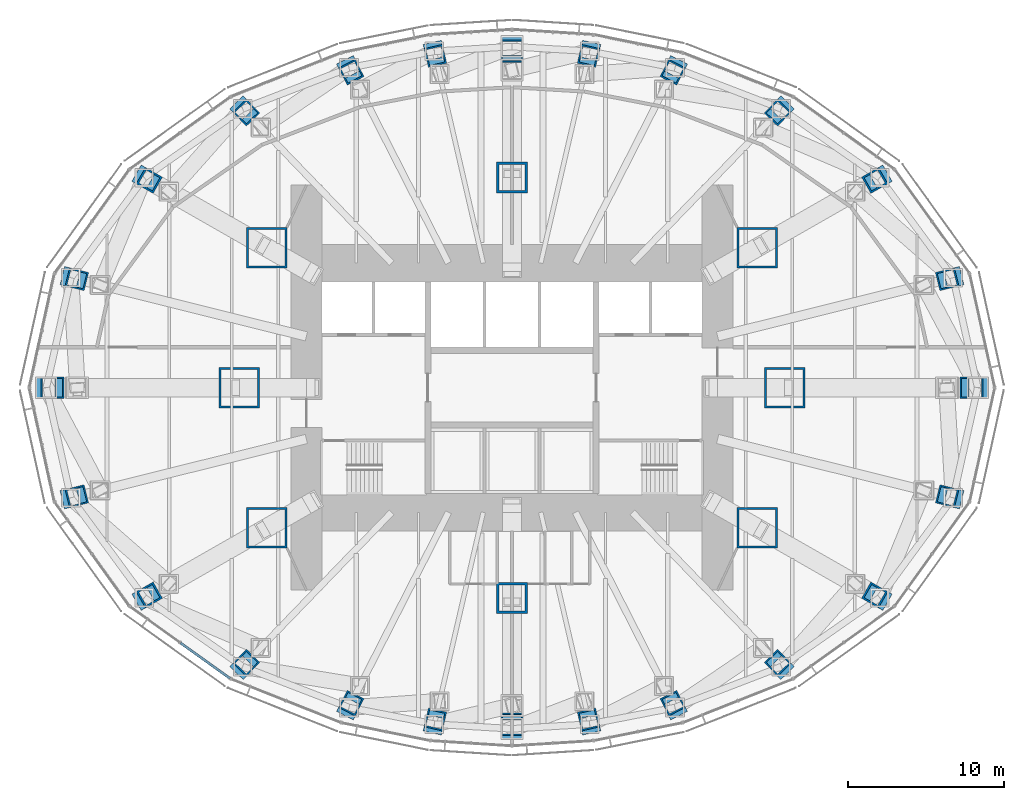
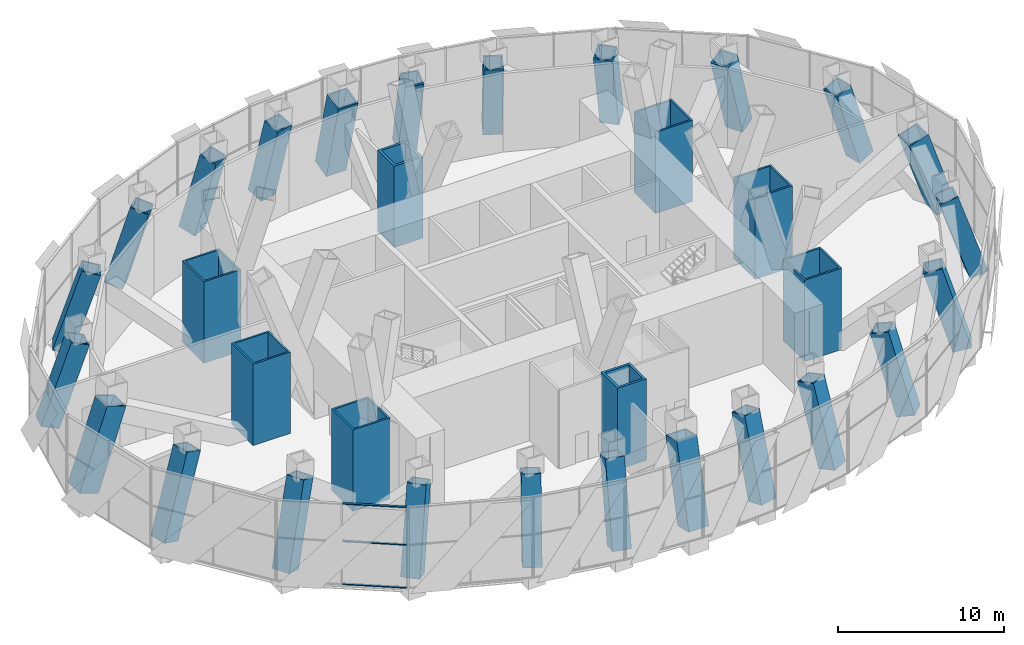
# One storey, part 1 of 21: 32 columns, 3 members, 1 element without a shape of its own.
"""IFC4 building model written with IfcOpenShell, lengths in metres."""

from ifc_helpers import new_model, si_unit, direction, frame, origin, origin_2d, place, context, subcontext, project, spatial, rectangle, hollow_rectangle, extrude, material, material_profile, profile_set, type_object, element, aggregate, save


model = new_model("IFC4")

# Units and contexts
model_context = context("Model", 3, precision=1e-05, world=origin(), true_north=direction((0.0, 1.0)))
body_context = subcontext(model_context, "Body", "Model", "MODEL_VIEW")
ifc_project = project(units=[si_unit("LENGTHUNIT", "METRE"), si_unit("AREAUNIT", "SQUARE_METRE"), si_unit("VOLUMEUNIT", "CUBIC_METRE"), si_unit("PLANEANGLEUNIT", "RADIAN"), si_unit("MASSUNIT", "GRAM", prefix="KILO")], contexts=[model_context])

# Site, building, storey
site_placement = place(None, origin())
site = spatial("IfcSite", under=ifc_project, at=site_placement, CompositionType="ELEMENT")
building_placement = place(site_placement, origin())
building = spatial("IfcBuilding", under=site, at=building_placement, Name="Lantaw Convention Tower", CompositionType="ELEMENT")
storey_placement = place(building_placement, frame((0.0, 0.0, 105.39990234375)))
storey = spatial("IfcBuildingStorey", under=building, at=storey_placement, Name="L25", CompositionType="ELEMENT", Elevation=105.39990234375)

# Columns
ifc_material_1 = material(Name="Steel EN 10025-3 S460N", Category="steel")
ifc_material_profile_1 = material_profile(ifc_material_1, hollow_rectangle(XDim=2.0, YDim=2.0, WallThickness=0.169921875, at=origin_2d()), Name="BOX2000X170")
ifc_material_2 = material(Name="Concrete C60/75", Category="concrete")
ifc_material_profile_2 = material_profile(ifc_material_2, rectangle(XDim=1.659912109375, YDim=1.659912109375, at=origin_2d()), Name="Concrete fill of BOX2000X170")
ifc_profile_set_1 = profile_set([ifc_material_profile_1, ifc_material_profile_2], Name="Steel EN 10025-3 S460N")
column_type_1 = type_object("IfcColumnType", Name="Column MC BOX2000X170", PredefinedType="COLUMN", material=ifc_profile_set_1)
for number, where, z_axis, x_axis, name in (
    (1, (0.0, 13.5, 0.0), (0.0, 0.0, 1.0), (1.0, 0.0, 0.0), "Mega column M3"),
    (2, (0.0, -13.5, 0.0), (0.0, 0.0, 1.0), (1.0, 0.0, 0.0), "Mega column M7"),
):
    element("IfcColumn", number, at=place(storey_placement, frame(where, z_axis=z_axis, x_axis=x_axis)), inside=storey, type_object=column_type_1, Name=name, PredefinedType="COLUMN", context=body_context, shape_type="SweptSolid", body=[
        extrude(hollow_rectangle(XDim=2.0, YDim=2.0, WallThickness=0.169921875, at=origin_2d()), origin(), (0.0, 0.0, 1.0), 6.0),
    ])
ifc_material_profile_3 = material_profile(ifc_material_1, hollow_rectangle(XDim=2.60009765625, YDim=2.60009765625, WallThickness=0.1298828125, at=origin_2d()), Name="BOX2600X130")
ifc_material_profile_4 = material_profile(ifc_material_2, rectangle(XDim=2.340087890625, YDim=2.340087890625, at=origin_2d()), Name="Concrete fill of BOX2600X130")
ifc_profile_set_2 = profile_set([ifc_material_profile_3, ifc_material_profile_4], Name="Steel EN 10025-3 S460N")
column_type_2 = type_object("IfcColumnType", Name="Column MC BOX2600X130", PredefinedType="COLUMN", material=ifc_profile_set_2)
for number, where, z_axis, x_axis, name in (
    (3, (17.5, 0.0, 0.0), (0.0, 0.0, 1.0), (1.0, 0.0, 0.0), "Mega column M1"),
    (4, (15.75, 9.0, 0.0), (0.0, 0.0, 1.0), (1.0, 0.0, 0.0), "Mega column M2"),
    (5, (-15.75, 9.0, 0.0), (0.0, 0.0, 1.0), (1.0, 0.0, 0.0), "Mega column M4"),
    (6, (-17.5, 0.0, 0.0), (0.0, 0.0, 1.0), (1.0, 0.0, 0.0), "Mega column M5"),
    (7, (-15.75, -9.0, 0.0), (0.0, 0.0, 1.0), (1.0, 0.0, 0.0), "Mega column M6"),
    (8, (15.75, -9.0, 0.0), (0.0, 0.0, 1.0), (1.0, 0.0, 0.0), "Mega column M8"),
):
    element("IfcColumn", number, at=place(storey_placement, frame(where, z_axis=z_axis, x_axis=x_axis)), inside=storey, type_object=column_type_2, Name=name, PredefinedType="COLUMN", context=body_context, shape_type="SweptSolid", body=[
        extrude(hollow_rectangle(XDim=2.60009765625, YDim=2.60009765625, WallThickness=0.1298828125, at=origin_2d()), origin(), (0.0, 0.0, 1.0), 6.0),
    ])
ifc_material_profile_5 = material_profile(ifc_material_1, hollow_rectangle(XDim=1.199951171875, YDim=1.199951171875, WallThickness=0.10009765625, at=origin_2d()), Name="BOX1200X100")
ifc_material_profile_6 = material_profile(ifc_material_2, rectangle(XDim=1.0, YDim=1.0, at=origin_2d()), Name="Concrete fill of BOX1200X100")
ifc_profile_set_3 = profile_set([ifc_material_profile_5, ifc_material_profile_6], Name="Steel EN 10025-3 S460N")
column_type_3 = type_object("IfcColumnType", Name="Column PC BOX1200X100", PredefinedType="COLUMN", material=ifc_profile_set_3)
column_1_placement = place(storey_placement, frame((28.31787109375, 7.060302734375, 0.0), z_axis=(-0.300740657131, -0.074975456692, 0.950754299513), x_axis=(0.24189877761, -0.970301489946, 0.0)))
element("IfcColumn", 9, at=column_1_placement, inside=storey, type_object=column_type_3, Name="Perimeter column P2 (raked)", PredefinedType="COLUMN", context=body_context, shape_type="SweptSolid", body=[
    extrude(hollow_rectangle(XDim=1.199951171875, YDim=1.199951171875, WallThickness=0.10009765625, at=origin_2d()), origin(), (0.0, 0.0, 1.0), 6.112060546875),
])
column_2_placement = place(storey_placement, frame((17.290771484375, 17.9052734375, 0.0), z_axis=(-0.188224434995, -0.194910772725, 0.962590958168), x_axis=(0.719337421927, -0.694660833368, 0.0)))
element("IfcColumn", 10, at=column_2_placement, inside=storey, type_object=column_type_3, Name="Perimeter column P4 (raked)", PredefinedType="COLUMN", context=body_context, shape_type="SweptSolid", body=[
    extrude(hollow_rectangle(XDim=1.199951171875, YDim=1.199951171875, WallThickness=0.10009765625, at=origin_2d()), origin(), (0.0, 0.0, 1.0), 6.061279296875),
])
column_3_placement = place(storey_placement, frame((10.462646484375, 20.533935546875, 0.0), z_axis=(-0.115112514597, -0.225901744161, 0.967324925228), x_axis=(0.890990845458, -0.454021269667, 0.0)))
element("IfcColumn", 11, at=column_3_placement, inside=storey, type_object=column_type_3, Name="Perimeter column P5 (raked)", PredefinedType="COLUMN", context=body_context, shape_type="SweptSolid", body=[
    extrude(hollow_rectangle(XDim=1.199951171875, YDim=1.199951171875, WallThickness=0.10009765625, at=origin_2d()), origin(), (0.0, 0.0, 1.0), 6.04248046875),
])
for number, where, z_axis, x_axis, name in (
    (12, (4.986328125, 21.59814453125, 0.0), (-0.055146465364, -0.238833151168, 0.969493472521), (0.974363368731, -0.224980056172, 0.0), "Perimeter column P6 (raked)"),
    (13, (-4.986328125, 21.59814453125, 0.0), (0.055146465364, -0.238833151168, 0.969493472521), (0.974363368731, 0.224980056172, 0.0), "Perimeter column P8 (raked)"),
):
    element("IfcColumn", number, at=place(storey_placement, frame(where, z_axis=z_axis, x_axis=x_axis)), inside=storey, type_object=column_type_3, Name=name, PredefinedType="COLUMN", context=body_context, shape_type="SweptSolid", body=[
        extrude(hollow_rectangle(XDim=1.199951171875, YDim=1.199951171875, WallThickness=0.10009765625, at=origin_2d()), origin(), (0.0, 0.0, 1.0), 6.0341796875),
    ])
column_4_placement = place(storey_placement, frame((-10.462646484375, 20.533935546875, 0.0), z_axis=(0.115112514597, -0.225901744161, 0.967324925228), x_axis=(0.890990845458, 0.454021269667, 0.0)))
element("IfcColumn", 14, at=column_4_placement, inside=storey, type_object=column_type_3, Name="Perimeter column P9 (raked)", PredefinedType="COLUMN", context=body_context, shape_type="SweptSolid", body=[
    extrude(hollow_rectangle(XDim=1.199951171875, YDim=1.199951171875, WallThickness=0.10009765625, at=origin_2d()), origin(), (0.0, 0.0, 1.0), 6.04248046875),
])
column_5_placement = place(storey_placement, frame((-17.290771484375, 17.9052734375, 0.0), z_axis=(0.188224434995, -0.194910772725, 0.962590958168), x_axis=(0.719337421927, 0.694660833368, 0.0)))
element("IfcColumn", 15, at=column_5_placement, inside=storey, type_object=column_type_3, Name="Perimeter column P10 (raked)", PredefinedType="COLUMN", context=body_context, shape_type="SweptSolid", body=[
    extrude(hollow_rectangle(XDim=1.199951171875, YDim=1.199951171875, WallThickness=0.10009765625, at=origin_2d()), origin(), (0.0, 0.0, 1.0), 6.061279296875),
])
for number, where, z_axis, x_axis, name in (
    (16, (-28.31787109375, 7.060302734375, 0.0), (0.300740657131, -0.074975456692, 0.950754299513), (0.24189877761, 0.970301489946, 0.0), "Perimeter column P12 (raked)"),
    (17, (-28.31787109375, -7.060302734375, 0.0), (0.300740657131, 0.074975456692, 0.950754299513), (-0.24189877761, 0.970301489946, 0.0), "Perimeter column P14 (raked)"),
):
    element("IfcColumn", number, at=place(storey_placement, frame(where, z_axis=z_axis, x_axis=x_axis)), inside=storey, type_object=column_type_3, Name=name, PredefinedType="COLUMN", context=body_context, shape_type="SweptSolid", body=[
        extrude(hollow_rectangle(XDim=1.199951171875, YDim=1.199951171875, WallThickness=0.10009765625, at=origin_2d()), origin(), (0.0, 0.0, 1.0), 6.112060546875),
    ])
column_6_placement = place(storey_placement, frame((-17.290771484375, -17.9052734375, 0.0), z_axis=(0.188224434995, 0.194910772725, 0.962590958168), x_axis=(-0.719337421927, 0.694660833368, 0.0)))
element("IfcColumn", 18, at=column_6_placement, inside=storey, type_object=column_type_3, Name="Perimeter column P16 (raked)", PredefinedType="COLUMN", context=body_context, shape_type="SweptSolid", body=[
    extrude(hollow_rectangle(XDim=1.199951171875, YDim=1.199951171875, WallThickness=0.10009765625, at=origin_2d()), origin(), (0.0, 0.0, 1.0), 6.061279296875),
])
column_7_placement = place(storey_placement, frame((-10.462646484375, -20.533935546875, 0.0), z_axis=(0.115112514597, 0.225901744161, 0.967324925228), x_axis=(-0.890990845458, 0.454021269667, 0.0)))
element("IfcColumn", 19, at=column_7_placement, inside=storey, type_object=column_type_3, Name="Perimeter column P17 (raked)", PredefinedType="COLUMN", context=body_context, shape_type="SweptSolid", body=[
    extrude(hollow_rectangle(XDim=1.199951171875, YDim=1.199951171875, WallThickness=0.10009765625, at=origin_2d()), origin(), (0.0, 0.0, 1.0), 6.04248046875),
])
for number, where, z_axis, x_axis, name in (
    (20, (-4.986328125, -21.59814453125, 0.0), (0.055146465364, 0.238833151168, 0.969493472521), (-0.974363368731, 0.224980056172, 0.0), "Perimeter column P18 (raked)"),
    (21, (4.986328125, -21.59814453125, 0.0), (-0.055146465364, 0.238833151168, 0.969493472521), (-0.974363368731, -0.224980056172, 0.0), "Perimeter column P20 (raked)"),
):
    element("IfcColumn", number, at=place(storey_placement, frame(where, z_axis=z_axis, x_axis=x_axis)), inside=storey, type_object=column_type_3, Name=name, PredefinedType="COLUMN", context=body_context, shape_type="SweptSolid", body=[
        extrude(hollow_rectangle(XDim=1.199951171875, YDim=1.199951171875, WallThickness=0.10009765625, at=origin_2d()), origin(), (0.0, 0.0, 1.0), 6.0341796875),
    ])
column_8_placement = place(storey_placement, frame((10.462646484375, -20.533935546875, 0.0), z_axis=(-0.115112514597, 0.225901744161, 0.967324925228), x_axis=(-0.890990845458, -0.454021269667, 0.0)))
element("IfcColumn", 22, at=column_8_placement, inside=storey, type_object=column_type_3, Name="Perimeter column P21 (raked)", PredefinedType="COLUMN", context=body_context, shape_type="SweptSolid", body=[
    extrude(hollow_rectangle(XDim=1.199951171875, YDim=1.199951171875, WallThickness=0.10009765625, at=origin_2d()), origin(), (0.0, 0.0, 1.0), 6.04248046875),
])
column_9_placement = place(storey_placement, frame((17.290771484375, -17.9052734375, 0.0), z_axis=(-0.188224434995, 0.194910772725, 0.962590958168), x_axis=(-0.719337421927, -0.694660833368, 0.0)))
element("IfcColumn", 23, at=column_9_placement, inside=storey, type_object=column_type_3, Name="Perimeter column P22 (raked)", PredefinedType="COLUMN", context=body_context, shape_type="SweptSolid", body=[
    extrude(hollow_rectangle(XDim=1.199951171875, YDim=1.199951171875, WallThickness=0.10009765625, at=origin_2d()), origin(), (0.0, 0.0, 1.0), 6.061279296875),
])
column_10_placement = place(storey_placement, frame((28.31787109375, -7.060302734375, 0.0), z_axis=(-0.300740657131, 0.074975456692, 0.950754299513), x_axis=(-0.24189877761, -0.970301489946, 0.0)))
element("IfcColumn", 24, at=column_10_placement, inside=storey, type_object=column_type_3, Name="Perimeter column P24 (raked)", PredefinedType="COLUMN", context=body_context, shape_type="SweptSolid", body=[
    extrude(hollow_rectangle(XDim=1.199951171875, YDim=1.199951171875, WallThickness=0.10009765625, at=origin_2d()), origin(), (0.0, 0.0, 1.0), 6.112060546875),
])
ifc_material_profile_7 = material_profile(ifc_material_1, hollow_rectangle(XDim=1.199951171875, YDim=1.199951171875, WallThickness=0.1201171875, at=origin_2d()), Name="BOX1200X120")
ifc_material_profile_8 = material_profile(ifc_material_2, rectangle(XDim=0.9599609375, YDim=0.9599609375, at=origin_2d()), Name="Concrete fill of BOX1200X120")
ifc_profile_set_4 = profile_set([ifc_material_profile_7, ifc_material_profile_8], Name="Steel EN 10025-3 S460N")
column_type_4 = type_object("IfcColumnType", Name="Column PC BOX1200X120", PredefinedType="COLUMN", material=ifc_profile_set_4)
for number, where, z_axis, x_axis, name in (
    (25, (23.60498046875, 13.488525390625, 0.0), (-0.253597337108, -0.144907034473, 0.956394448945), (0.496124150365, -0.868251592238, 0.0), "Perimeter column P3 (raked)"),
    (26, (-23.60498046875, 13.488525390625, 0.0), (0.253597337108, -0.144907034473, 0.956394448945), (0.496124150365, 0.868251592238, 0.0), "Perimeter column P11 (raked)"),
    (27, (-23.60498046875, -13.488525390625, 0.0), (0.253597337108, 0.144907034473, 0.956394448945), (-0.496124150365, 0.868251592238, 0.0), "Perimeter column P15 (raked)"),
    (28, (23.60498046875, -13.488525390625, 0.0), (-0.253597337108, 0.144907034473, 0.956394448945), (-0.496124150365, -0.868251592238, 0.0), "Perimeter column P23 (raked)"),
):
    element("IfcColumn", number, at=place(storey_placement, frame(where, z_axis=z_axis, x_axis=x_axis)), inside=storey, type_object=column_type_4, Name=name, PredefinedType="COLUMN", context=body_context, shape_type="SweptSolid", body=[
        extrude(hollow_rectangle(XDim=1.199951171875, YDim=1.199951171875, WallThickness=0.1201171875, at=origin_2d()), origin(), (0.0, 0.0, 1.0), 6.087158203125),
    ])
ifc_material_profile_9 = material_profile(ifc_material_1, hollow_rectangle(XDim=1.39990234375, YDim=1.39990234375, WallThickness=0.10009765625, at=origin_2d()), Name="BOX1400X100")
ifc_material_profile_10 = material_profile(ifc_material_2, rectangle(XDim=1.199951171875, YDim=1.199951171875, at=origin_2d()), Name="Concrete fill of BOX1400X100")
ifc_profile_set_5 = profile_set([ifc_material_profile_9, ifc_material_profile_10], Name="Steel EN 10025-3 S460N")
column_type_5 = type_object("IfcColumnType", Name="Column PC BOX1400X100", PredefinedType="COLUMN", material=ifc_profile_set_5)
column_11_placement = place(storey_placement, frame((29.89990234375, 0.0, 0.0), z_axis=(-0.316203704758, 0.0, 0.948691318131), x_axis=(0.0, -1.0, 0.0)))
element("IfcColumn", 29, at=column_11_placement, inside=storey, type_object=column_type_5, Name="Perimeter column P1 (raked)", PredefinedType="COLUMN", context=body_context, shape_type="SweptSolid", body=[
    extrude(hollow_rectangle(XDim=1.39990234375, YDim=1.39990234375, WallThickness=0.10009765625, at=origin_2d()), origin(), (0.0, 0.0, 1.0), 6.087890625),
])
column_12_placement = place(storey_placement, frame((0.0, 21.89990234375, 0.0), z_axis=(0.0, -0.2425260616, 0.970144890954), x_axis=(1.0, 0.0, 0.0)))
element("IfcColumn", 30, at=column_12_placement, inside=storey, type_object=column_type_5, Name="Perimeter column P7 (raked)", PredefinedType="COLUMN", context=body_context, shape_type="SweptSolid", body=[
    extrude(hollow_rectangle(XDim=1.39990234375, YDim=1.39990234375, WallThickness=0.10009765625, at=origin_2d()), origin(), (0.0, 0.0, 1.0), 6.0068359375),
])
column_13_placement = place(storey_placement, frame((-29.89990234375, 0.0, 0.0), z_axis=(0.316203704758, 0.0, 0.948691318131), x_axis=(0.0, 1.0, 0.0)))
element("IfcColumn", 31, at=column_13_placement, inside=storey, type_object=column_type_5, Name="Perimeter column P13 (raked)", PredefinedType="COLUMN", context=body_context, shape_type="SweptSolid", body=[
    extrude(hollow_rectangle(XDim=1.39990234375, YDim=1.39990234375, WallThickness=0.10009765625, at=origin_2d()), origin(), (0.0, 0.0, 1.0), 6.087890625),
])
column_14_placement = place(storey_placement, frame((0.0, -21.89990234375, 0.0), z_axis=(0.0, 0.2425260616, 0.970144890954), x_axis=(-1.0, 0.0, 0.0)))
element("IfcColumn", 32, at=column_14_placement, inside=storey, type_object=column_type_5, Name="Perimeter column P19 (raked)", PredefinedType="COLUMN", context=body_context, shape_type="SweptSolid", body=[
    extrude(hollow_rectangle(XDim=1.39990234375, YDim=1.39990234375, WallThickness=0.10009765625, at=origin_2d()), origin(), (0.0, 0.0, 1.0), 6.0068359375),
])

# Curtain wall, members
ifc_material_3 = material(Name="Aluminium framed curtain wall", Category="aluminium")
curtain_wall_type = type_object("IfcCurtainWallType", Name="Plant floor louvre wall, pale aluminium", PredefinedType="USERDEFINED", material=ifc_material_3)
curtain_wall_placement = place(storey_placement, origin())
curtain_wall = element("IfcCurtainWall", 33, at=curtain_wall_placement, inside=storey, type_object=curtain_wall_type, Name="Plant floor louvre wall, pale aluminium L25", ObjectType="LOUVRE WALL", PredefinedType="USERDEFINED")
ifc_material_4 = material(Name="Aluminium 6063-T6", Category="aluminium")
ifc_material_profile_11 = material_profile(ifc_material_4, rectangle(XDim=0.159912109375, YDim=0.070068359375, at=origin_2d()), Name="CW-LV transom 70x160")
ifc_profile_set_6 = profile_set([ifc_material_profile_11], Name="Aluminium 6063-T6")
member_type = type_object("IfcMemberType", Name="CW-LV transom 70x160", PredefinedType="USERDEFINED", material=ifc_profile_set_6)
member_1_placement = place(storey_placement, frame((-21.279052734375, -16.3857421875, -0.164794921875), z_axis=(0.812796855992, -0.582547226317, 0.0), x_axis=(0.582547226317, 0.812796855992, 0.0)))
member_1 = element("IfcMember", 34, at=member_1_placement, type_object=member_type, Name="CW-LV transom 2.1", ObjectType="TRANSOM", PredefinedType="USERDEFINED", context=body_context, shape_type="SweptSolid", body=[
    extrude(rectangle(XDim=0.159912109375, YDim=0.070068359375, at=origin_2d()), origin(), (0.0, 0.0, 1.0), 3.896728515625),
])
member_2_placement = place(storey_placement, frame((-21.279052734375, -16.3857421875, 3.0), z_axis=(0.812796855992, -0.582547226317, 0.0), x_axis=(0.582547226317, 0.812796855992, 0.0)))
member_2 = element("IfcMember", 35, at=member_2_placement, type_object=member_type, Name="CW-LV transom 2.2", ObjectType="TRANSOM", PredefinedType="USERDEFINED", context=body_context, shape_type="SweptSolid", body=[
    extrude(rectangle(XDim=0.159912109375, YDim=0.070068359375, at=origin_2d()), origin(), (0.0, 0.0, 1.0), 3.896728515625),
])
member_3_placement = place(storey_placement, frame((-21.279052734375, -16.3857421875, 5.76513671875), z_axis=(0.812796855992, -0.582547226317, 0.0), x_axis=(0.582547226317, 0.812796855992, 0.0)))
member_3 = element("IfcMember", 36, at=member_3_placement, type_object=member_type, Name="CW-LV transom 2.3", ObjectType="TRANSOM", PredefinedType="USERDEFINED", context=body_context, shape_type="SweptSolid", body=[
    extrude(rectangle(XDim=0.159912109375, YDim=0.070068359375, at=origin_2d()), origin(), (0.0, 0.0, 1.0), 3.896728515625),
])
aggregate(curtain_wall, [member_1, member_2, member_3])

save(model, "model.ifc")
